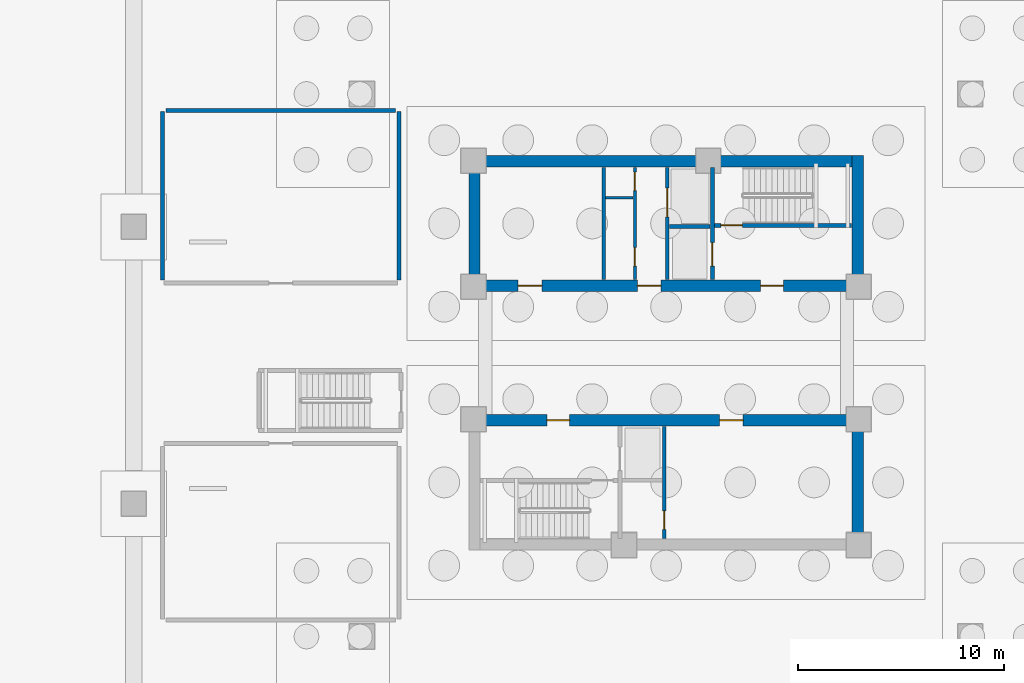
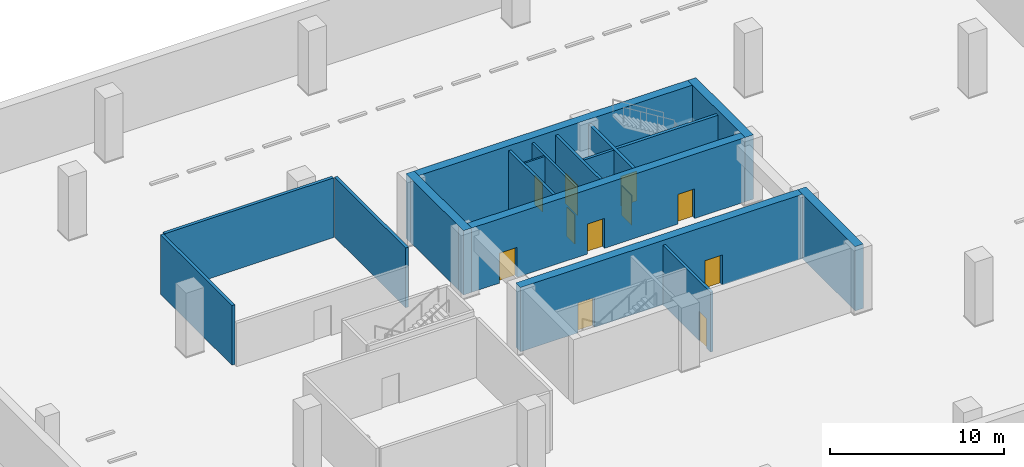
# One storey, part 4 of 8: 17 walls, 11 doors, 11 openings.
"""IFC4 building model written with IfcOpenShell, lengths in metres."""

from ifc_helpers import new_model, si_unit, direction, frame, frame_2d, origin, place, context, subcontext, project, spatial, rectangle, extrude, material, layer, layer_set, type_object, element, fill, save


model = new_model("IFC4")

# Units and contexts
model_context = context("Model", 3, precision=1e-05, world=origin(), true_north=direction((0.0, 1.0)))
body_context = subcontext(model_context, "Body", "Model", "MODEL_VIEW")
ifc_project = project(units=[si_unit("LENGTHUNIT", "METRE"), si_unit("AREAUNIT", "SQUARE_METRE"), si_unit("VOLUMEUNIT", "CUBIC_METRE"), si_unit("PLANEANGLEUNIT", "RADIAN"), si_unit("MASSUNIT", "GRAM", prefix="KILO")], contexts=[model_context])

# Site, building, storey
site_placement = place(None, origin())
site = spatial("IfcSite", under=ifc_project, at=site_placement, CompositionType="ELEMENT")
building_placement = place(site_placement, origin())
building = spatial("IfcBuilding", under=site, at=building_placement, Name="Qhalaya Broadcast Tower", CompositionType="ELEMENT")
storey_placement = place(building_placement, frame((0.0, 0.0, -9.0)))
storey = spatial("IfcBuildingStorey", under=building, at=storey_placement, Name="B02", CompositionType="ELEMENT", Elevation=-9.0)

# Wall, openings, doors
ifc_material_1 = material(Name="Gypsum Acoustic Partition")
ifc_layer_1 = layer(ifc_material_1, 0.14990234375, Name="Gypsum Acoustic Partition")
ifc_layer_set_1 = layer_set([ifc_layer_1], Name="Gypsum Acoustic Partition")
wall_type_1 = type_object("IfcWallType", Name="Corridor & Tenancy Acoustic Partition 150", PredefinedType="PARTITIONING", material=ifc_layer_set_1)
wall_1_placement = place(storey_placement, frame((-1.52001953125, 4.169921875, 0.0), z_axis=(0.0, 0.0, 1.0), x_axis=(0.0, 1.0, 0.0)))
wall_1 = element("IfcWall", 1, at=wall_1_placement, inside=storey, type_object=wall_type_1, Name="B02 Partition Wall NCW-SVL", PredefinedType="PARTITIONING", context=body_context, shape_type="SweptSolid", body=[
    extrude(rectangle(XDim=5.4599609375, YDim=0.14990234375, at=frame_2d((2.72998046875, 0.0))), origin(), (0.0, 0.0, 1.0), 4.179931640625),
])
opening_1_placement = place(wall_1_placement, frame((4.330078125, 0.0, 0.0)))
opening_1 = element("IfcOpeningElement", 2, at=opening_1_placement, cuts=wall_1, Name="Opening D06", PredefinedType="OPENING", context=body_context, shape_type="SweptSolid", body=[
    extrude(rectangle(XDim=0.89990234375, YDim=2.050048828125, at=frame_2d((0.449951171875, 1.02490234375))), frame((0.0, 0.0869140625, 0.0), z_axis=(0.0, -1.0, 0.0), x_axis=(1.0, 0.0, 0.0)), (0.0, 0.0, 1.0), 0.173828125),
])
opening_2_placement = place(wall_1_placement, frame((0.64990234375, 0.0, 0.0)))
opening_2 = element("IfcOpeningElement", 3, at=opening_2_placement, cuts=wall_1, Name="Opening D06", PredefinedType="OPENING", context=body_context, shape_type="SweptSolid", body=[
    extrude(rectangle(XDim=0.89990234375, YDim=2.050048828125, at=frame_2d((0.449951171875, 1.02490234375))), frame((0.0, 0.0869140625, 0.0), z_axis=(0.0, -1.0, 0.0), x_axis=(1.0, 0.0, 0.0)), (0.0, 0.0, 1.0), 0.173828125),
])
ifc_material_2 = material(Name="Fire-Rated Steel Door", Category="steel")
door_type_1 = type_object("IfcDoorType", Name="Riser & Electrical Shaft Access Door D06", OperationType="NOTDEFINED", PredefinedType="DOOR", material=ifc_material_2)
door_1_placement = place(opening_1_placement, origin())
door_1 = element("IfcDoor", 4, at=door_1_placement, inside=storey, type_object=door_type_1, Name="B02 Riser Shaft Access Door D-NRSR", OperationType="SINGLE_SWING_RIGHT", OverallHeight=2.050048828125, OverallWidth=0.89990234375, PredefinedType="DOOR", context=body_context, shape_type="SweptSolid", body=[
    extrude(rectangle(XDim=0.89990234375, YDim=2.050048828125, at=frame_2d((0.449951171875, 1.02490234375))), frame((0.0, 0.02490234375, 0.0), z_axis=(0.0, -1.0, 0.0), x_axis=(1.0, 0.0, 0.0)), (0.0, 0.0, 1.0), 0.050048828125),
])
fill(opening_1, door_1)
door_2_placement = place(opening_2_placement, origin())
door_2 = element("IfcDoor", 5, at=door_2_placement, inside=storey, type_object=door_type_1, Name="B02 Door D-NCST", OperationType="SINGLE_SWING_LEFT", OverallHeight=2.050048828125, OverallWidth=0.89990234375, PredefinedType="DOOR", context=body_context, shape_type="SweptSolid", body=[
    extrude(rectangle(XDim=0.89990234375, YDim=2.050048828125, at=frame_2d((0.449951171875, 1.02490234375))), frame((0.0, 0.02490234375, 0.0), z_axis=(0.0, -1.0, 0.0), x_axis=(1.0, 0.0, 0.0)), (0.0, 0.0, 1.0), 0.050048828125),
])
fill(opening_2, door_2)

# Walls
ifc_layer_2 = layer(ifc_material_1, 0.199951171875, Name="Gypsum Acoustic Partition")
ifc_layer_set_2 = layer_set([ifc_layer_2], Name="Gypsum Acoustic Partition")
wall_type_2 = type_object("IfcWallType", Name="Firefighting Lobby & Stair Enclosure Wall 200", PredefinedType="PARTITIONING", material=ifc_layer_set_2)
for number, where, z_axis, x_axis, name in (
    (6, (-24.5, 4.159912109375, 0.0), (0.0, 0.0, 1.0), (0.0, 1.0, 0.0), "B02 Partition Wall W-B02P6"),
    (7, (-13.0, 4.159912109375, 0.0), (0.0, 0.0, 1.0), (0.0, 1.0, 0.0), "B02 Partition Wall W-B02P7"),
):
    element("IfcWall", number, at=place(storey_placement, frame(where, z_axis=z_axis, x_axis=x_axis)), inside=storey, type_object=wall_type_2, Name=name, PredefinedType="PARTITIONING", context=body_context, shape_type="SweptSolid", body=[
        extrude(rectangle(XDim=8.18017578125, YDim=0.199951171875, at=frame_2d((4.090087890625, 0.0))), origin(), (0.0, 0.0, 1.0), 4.179931640625),
    ])
wall_2_placement = place(storey_placement, frame((-24.340087890625, 12.39990234375, 0.0), z_axis=(0.0, 0.0, 1.0), x_axis=(1.0, 0.0, 0.0)))
element("IfcWall", 8, at=wall_2_placement, inside=storey, type_object=wall_type_2, Name="B02 Partition Wall W-B02P8", PredefinedType="PARTITIONING", context=body_context, shape_type="SweptSolid", body=[
    extrude(rectangle(XDim=11.18017578125, YDim=0.199951171875, at=frame_2d((5.590087890625, 0.0))), origin(), (0.0, 0.0, 1.0), 4.179931640625),
])

# Wall, opening, door
ifc_material_3 = material(Name="Concrete C50/60", Category="concrete")
ifc_layer_3 = layer(ifc_material_3, 0.199951171875, Name="Concrete C50/60")
ifc_layer_set_3 = layer_set([ifc_layer_3], Name="Concrete C50/60")
wall_type_3 = type_object("IfcWallType", Name="Load-Bearing Stair Shaft Wall 200", PredefinedType="SHEAR", material=ifc_layer_set_3)
wall_3_placement = place(storey_placement, frame((2.360107421875, 6.804931640625, 0.0), z_axis=(0.0, 0.0, 1.0), x_axis=(1.0, 0.0, 0.0)))
wall_3 = element("IfcWall", 9, at=wall_3_placement, inside=storey, type_object=wall_type_3, Name="B02 Stair Core Shear Wall NCW-ST1", PredefinedType="SHEAR", context=body_context, shape_type="SweptSolid", body=[
    extrude(rectangle(XDim=6.669921875, YDim=0.199951171875, at=frame_2d((3.3349609375, 0.0))), origin(), (0.0, 0.0, 1.0), 4.179931640625),
])
opening_3_placement = place(wall_3_placement, frame((0.300048828125, 0.0, 0.0)))
opening_3 = element("IfcOpeningElement", 10, at=opening_3_placement, cuts=wall_3, Name="Opening D03", PredefinedType="OPENING", context=body_context, shape_type="SweptSolid", body=[
    extrude(rectangle(XDim=1.050048828125, YDim=2.080078125, at=frame_2d((0.52490234375, 1.0400390625))), frame((0.0, 0.112060546875, 0.0), z_axis=(0.0, -1.0, 0.0), x_axis=(1.0, 0.0, 0.0)), (0.0, 0.0, 1.0), 0.223876953125),
])
door_type_2 = type_object("IfcDoorType", Name="Core Stair Protected Fire Door D03", OperationType="NOTDEFINED", PredefinedType="DOOR", material=ifc_material_2)
door_3_placement = place(opening_3_placement, origin())
door_3 = element("IfcDoor", 11, at=door_3_placement, inside=storey, type_object=door_type_2, Name="B02 Door D-NST1", OperationType="SINGLE_SWING_LEFT", OverallHeight=2.080078125, OverallWidth=1.050048828125, PredefinedType="DOOR", context=body_context, shape_type="SweptSolid", body=[
    extrude(rectangle(XDim=1.050048828125, YDim=2.080078125, at=frame_2d((0.52490234375, 1.0400390625))), frame((0.0, 0.02490234375, 0.0), z_axis=(0.0, -1.0, 0.0), x_axis=(1.0, 0.0, 0.0)), (0.0, 0.0, 1.0), 0.050048828125),
])
fill(opening_3, door_3)

wall_4_placement = place(storey_placement, frame((2.25, 4.169921875, 0.0), z_axis=(0.0, 0.0, 1.0), x_axis=(0.0, 1.0, 0.0)))
wall_4 = element("IfcWall", 12, at=wall_4_placement, inside=storey, type_object=wall_type_3, Name="B02 Stair Core Shear Wall NCW-FF", PredefinedType="SHEAR", context=body_context, shape_type="SweptSolid", body=[
    extrude(rectangle(XDim=5.4599609375, YDim=0.199951171875, at=frame_2d((2.72998046875, 0.0))), origin(), (0.0, 0.0, 1.0), 4.179931640625),
])
opening_4_placement = place(wall_4_placement, frame((0.64990234375, 0.0, 0.0)))
opening_4 = element("IfcOpeningElement", 13, at=opening_4_placement, cuts=wall_4, Name="Opening LD2", PredefinedType="OPENING", context=body_context, shape_type="SweptSolid", body=[
    extrude(rectangle(XDim=1.14990234375, YDim=2.080078125, at=frame_2d((0.574951171875, 1.0400390625))), frame((0.0, 0.112060546875, 0.0), z_axis=(0.0, -1.0, 0.0), x_axis=(1.0, 0.0, 0.0)), (0.0, 0.0, 1.0), 0.223876953125),
])
ifc_material_4 = material(Name="Brushed Stainless Steel Lift Door", Category="steel")
door_type_3 = type_object("IfcDoorType", Name="Firefighting Lift Sliding Landing Door LD2", OperationType="DOUBLE_DOOR_SLIDING", PredefinedType="DOOR", material=ifc_material_4)
door_4_placement = place(opening_4_placement, origin())
door_4 = element("IfcDoor", 14, at=door_4_placement, inside=storey, type_object=door_type_3, Name="B02 Door LD-FF1", OperationType="DOUBLE_DOOR_SLIDING", OverallHeight=2.080078125, OverallWidth=1.14990234375, PredefinedType="DOOR", context=body_context, shape_type="SweptSolid", body=[
    extrude(rectangle(XDim=1.14990234375, YDim=2.080078125, at=frame_2d((0.574951171875, 1.0400390625))), frame((0.0, 0.02490234375, 0.0), z_axis=(0.0, -1.0, 0.0), x_axis=(1.0, 0.0, 0.0)), (0.0, 0.0, 1.0), 0.050048828125),
])
fill(opening_4, door_4)

# Wall
ifc_material_5 = material(Name="Concrete C60/75", Category="concrete")
ifc_layer_4 = layer(ifc_material_5, 0.550048828125, Name="Concrete C60/75")
ifc_layer_set_4 = layer_set([ifc_layer_4], Name="Concrete C60/75")
wall_type_4 = type_object("IfcWallType", Name="Lower Split-Core Shear Wall 550", PredefinedType="SHEAR", material=ifc_layer_set_4)
wall_5_placement = place(storey_placement, frame((-9.60009765625, 9.925048828125, 0.0), z_axis=(0.0, 0.0, 1.0), x_axis=(1.0, 0.0, 0.0)))
element("IfcWall", 15, at=wall_5_placement, inside=storey, type_object=wall_type_4, Name="B02 Split-Core Shear Wall CW-NN", PredefinedType="SHEAR", context=body_context, shape_type="SweptSolid", body=[
    extrude(rectangle(XDim=19.2001953125, YDim=0.550048828125, at=frame_2d((9.60009765625, 0.0))), origin(), (0.0, 0.0, 1.0), 4.5),
])

# Wall, openings, doors
wall_6_placement = place(storey_placement, frame((-9.60009765625, 3.875, 0.0), z_axis=(0.0, 0.0, 1.0), x_axis=(1.0, 0.0, 0.0)))
wall_6 = element("IfcWall", 16, at=wall_6_placement, inside=storey, type_object=wall_type_4, Name="B02 Split-Core Shear Wall CW-NS", PredefinedType="SHEAR", context=body_context, shape_type="SweptSolid", body=[
    extrude(rectangle(XDim=19.2001953125, YDim=0.550048828125, at=frame_2d((9.60009765625, 0.0))), origin(), (0.0, 0.0, 1.0), 4.5),
])
opening_5_placement = place(wall_6_placement, frame((14.199951171875, 0.0, 0.0)))
opening_5 = element("IfcOpeningElement", 17, at=opening_5_placement, cuts=wall_6, Name="Opening D04", PredefinedType="OPENING", context=body_context, shape_type="SweptSolid", body=[
    extrude(rectangle(XDim=1.10009765625, YDim=2.080078125, at=frame_2d((0.550048828125, 1.0400390625))), frame((0.0, 0.287109375, 0.0), z_axis=(0.0, -1.0, 0.0), x_axis=(1.0, 0.0, 0.0)), (0.0, 0.0, 1.0), 0.573974609375),
])
opening_6_placement = place(wall_6_placement, frame((8.199951171875, 0.0, 0.0)))
opening_6 = element("IfcOpeningElement", 18, at=opening_6_placement, cuts=wall_6, Name="Opening D05", PredefinedType="OPENING", context=body_context, shape_type="SweptSolid", body=[
    extrude(rectangle(XDim=1.14990234375, YDim=2.10009765625, at=frame_2d((0.574951171875, 1.050048828125))), frame((0.0, 0.287109375, 0.0), z_axis=(0.0, -1.0, 0.0), x_axis=(1.0, 0.0, 0.0)), (0.0, 0.0, 1.0), 0.573974609375),
])
opening_7_placement = place(wall_6_placement, frame((2.39990234375, 0.0, 0.0)))
opening_7 = element("IfcOpeningElement", 19, at=opening_7_placement, cuts=wall_6, Name="Opening D05", PredefinedType="OPENING", context=body_context, shape_type="SweptSolid", body=[
    extrude(rectangle(XDim=1.14990234375, YDim=2.10009765625, at=frame_2d((0.574951171875, 1.050048828125))), frame((0.0, 0.287109375, 0.0), z_axis=(0.0, -1.0, 0.0), x_axis=(1.0, 0.0, 0.0)), (0.0, 0.0, 1.0), 0.573974609375),
])
door_type_4 = type_object("IfcDoorType", Name="Firefighting Lobby Rated Door D04", OperationType="NOTDEFINED", PredefinedType="DOOR", material=ifc_material_2)
door_5_placement = place(opening_5_placement, origin())
door_5 = element("IfcDoor", 20, at=door_5_placement, inside=storey, type_object=door_type_4, Name="B02 Door D-NFF", OperationType="SINGLE_SWING_RIGHT", OverallHeight=2.080078125, OverallWidth=1.10009765625, PredefinedType="DOOR", context=body_context, shape_type="SweptSolid", body=[
    extrude(rectangle(XDim=1.10009765625, YDim=2.080078125, at=frame_2d((0.550048828125, 1.0400390625))), frame((0.0, 0.02490234375, 0.0), z_axis=(0.0, -1.0, 0.0), x_axis=(1.0, 0.0, 0.0)), (0.0, 0.0, 1.0), 0.050048828125),
])
fill(opening_5, door_5)
door_type_5 = type_object("IfcDoorType", Name="Refuge & Plant Room Fire Door D05", OperationType="NOTDEFINED", PredefinedType="DOOR", material=ifc_material_2)
door_6_placement = place(opening_6_placement, origin())
door_6 = element("IfcDoor", 21, at=door_6_placement, inside=storey, type_object=door_type_5, Name="B02 Door D-NSVL", OperationType="SINGLE_SWING_LEFT", OverallHeight=2.10009765625, OverallWidth=1.14990234375, PredefinedType="DOOR", context=body_context, shape_type="SweptSolid", body=[
    extrude(rectangle(XDim=1.14990234375, YDim=2.10009765625, at=frame_2d((0.574951171875, 1.050048828125))), frame((0.0, 0.02490234375, 0.0), z_axis=(0.0, -1.0, 0.0), x_axis=(1.0, 0.0, 0.0)), (0.0, 0.0, 1.0), 0.050048828125),
])
fill(opening_6, door_6)
door_7_placement = place(opening_7_placement, origin())
door_7 = element("IfcDoor", 22, at=door_7_placement, inside=storey, type_object=door_type_5, Name="B02 Door D-NB02P", OperationType="SINGLE_SWING_LEFT", OverallHeight=2.10009765625, OverallWidth=1.14990234375, PredefinedType="DOOR", context=body_context, shape_type="SweptSolid", body=[
    extrude(rectangle(XDim=1.14990234375, YDim=2.10009765625, at=frame_2d((0.574951171875, 1.050048828125))), frame((0.0, 0.02490234375, 0.0), z_axis=(0.0, -1.0, 0.0), x_axis=(1.0, 0.0, 0.0)), (0.0, 0.0, 1.0), 0.050048828125),
])
fill(opening_7, door_7)

# Walls
for number, where, z_axis, x_axis, name in (
    (23, (-9.324951171875, 3.60009765625, 0.0), (0.0, 0.0, 1.0), (0.0, 1.0, 0.0), "B02 Split-Core Shear Wall CW-NW"),
    (24, (9.324951171875, 3.60009765625, 0.0), (0.0, 0.0, 1.0), (0.0, 1.0, 0.0), "B02 Split-Core Shear Wall CW-NE"),
):
    element("IfcWall", number, at=place(storey_placement, frame(where, z_axis=z_axis, x_axis=x_axis)), inside=storey, type_object=wall_type_4, Name=name, PredefinedType="SHEAR", context=body_context, shape_type="SweptSolid", body=[
        extrude(rectangle(XDim=6.599853515625, YDim=0.550048828125, at=frame_2d((3.2998046875, 0.0))), origin(), (0.0, 0.0, 1.0), 4.5),
    ])

# Wall, openings, doors
wall_7_placement = place(storey_placement, frame((-9.60009765625, -2.675048828125, 0.0), z_axis=(0.0, 0.0, 1.0), x_axis=(1.0, 0.0, 0.0)))
wall_7 = element("IfcWall", 25, at=wall_7_placement, inside=storey, type_object=wall_type_4, Name="B02 Split-Core Shear Wall CW-SN", PredefinedType="SHEAR", context=body_context, shape_type="SweptSolid", body=[
    extrude(rectangle(XDim=19.2001953125, YDim=0.550048828125, at=frame_2d((9.60009765625, 0.0))), origin(), (0.0, 0.0, 1.0), 4.5),
])
opening_8_placement = place(wall_7_placement, frame((3.800048828125, 0.0, 0.0)))
opening_8 = element("IfcOpeningElement", 26, at=opening_8_placement, cuts=wall_7, Name="Opening D04", PredefinedType="OPENING", context=body_context, shape_type="SweptSolid", body=[
    extrude(rectangle(XDim=1.10009765625, YDim=2.080078125, at=frame_2d((0.550048828125, 1.0400390625))), frame((0.0, 0.287109375, 0.0), z_axis=(0.0, -1.0, 0.0), x_axis=(1.0, 0.0, 0.0)), (0.0, 0.0, 1.0), 0.573974609375),
])
opening_9_placement = place(wall_7_placement, frame((12.199951171875, 0.0, 0.0)))
opening_9 = element("IfcOpeningElement", 27, at=opening_9_placement, cuts=wall_7, Name="Opening D05", PredefinedType="OPENING", context=body_context, shape_type="SweptSolid", body=[
    extrude(rectangle(XDim=1.14990234375, YDim=2.10009765625, at=frame_2d((0.574951171875, 1.050048828125))), frame((0.0, 0.287109375, 0.0), z_axis=(0.0, -1.0, 0.0), x_axis=(1.0, 0.0, 0.0)), (0.0, 0.0, 1.0), 0.573974609375),
])
door_8_placement = place(opening_8_placement, origin())
door_8 = element("IfcDoor", 28, at=door_8_placement, inside=storey, type_object=door_type_4, Name="B02 Door D-SFF", OperationType="SINGLE_SWING_LEFT", OverallHeight=2.080078125, OverallWidth=1.10009765625, PredefinedType="DOOR", context=body_context, shape_type="SweptSolid", body=[
    extrude(rectangle(XDim=1.10009765625, YDim=2.080078125, at=frame_2d((0.550048828125, 1.0400390625))), frame((0.0, 0.02490234375, 0.0), z_axis=(0.0, -1.0, 0.0), x_axis=(1.0, 0.0, 0.0)), (0.0, 0.0, 1.0), 0.050048828125),
])
fill(opening_8, door_8)
door_9_placement = place(opening_9_placement, origin())
door_9 = element("IfcDoor", 29, at=door_9_placement, inside=storey, type_object=door_type_5, Name="B02 Door D-SBPLT", OperationType="SINGLE_SWING_RIGHT", OverallHeight=2.10009765625, OverallWidth=1.14990234375, PredefinedType="DOOR", context=body_context, shape_type="SweptSolid", body=[
    extrude(rectangle(XDim=1.14990234375, YDim=2.10009765625, at=frame_2d((0.574951171875, 1.050048828125))), frame((0.0, 0.02490234375, 0.0), z_axis=(0.0, -1.0, 0.0), x_axis=(1.0, 0.0, 0.0)), (0.0, 0.0, 1.0), 0.050048828125),
])
fill(opening_9, door_9)

# Walls
wall_8_placement = place(storey_placement, frame((9.324951171875, -9.0, 0.0), z_axis=(0.0, 0.0, 1.0), x_axis=(0.0, 1.0, 0.0)))
element("IfcWall", 30, at=wall_8_placement, inside=storey, type_object=wall_type_4, Name="B02 Split-Core Shear Wall CW-SE", PredefinedType="SHEAR", context=body_context, shape_type="SweptSolid", body=[
    extrude(rectangle(XDim=6.60009765625, YDim=0.550048828125, at=frame_2d((3.300048828125, 0.0))), origin(), (0.0, 0.0, 1.0), 4.5),
])
ifc_layer_5 = layer(ifc_material_1, 0.1201171875, Name="Gypsum Acoustic Partition")
ifc_layer_set_5 = layer_set([ifc_layer_5], Name="Gypsum Acoustic Partition")
wall_type_5 = type_object("IfcWallType", Name="Office, Booth & Sanitary Partition 120", PredefinedType="PARTITIONING", material=ifc_layer_set_5)
wall_9_placement = place(storey_placement, frame((-2.9599609375, 8.14990234375, 0.0), z_axis=(0.0, 0.0, 1.0), x_axis=(1.0, 0.0, 0.0)))
element("IfcWall", 31, at=wall_9_placement, inside=storey, type_object=wall_type_5, Name="B02 Partition Wall NCW-VA", PredefinedType="PARTITIONING", context=body_context, shape_type="SweptSolid", body=[
    extrude(rectangle(XDim=1.35986328125, YDim=0.1201171875, at=frame_2d((0.679931640625, 0.0))), origin(), (0.0, 0.0, 1.0), 4.179931640625),
])

# Wall, opening, door
ifc_layer_6 = layer(ifc_material_1, 0.175048828125, Name="Gypsum Acoustic Partition")
ifc_layer_set_6 = layer_set([ifc_layer_6], Name="Gypsum Acoustic Partition")
wall_type_6 = type_object("IfcWallType", Name="Shaft & Riser Fire Partition 175", PredefinedType="PARTITIONING", material=ifc_layer_set_6)
wall_10_placement = place(storey_placement, frame((0.06005859375, 4.169921875, 0.0), z_axis=(0.0, 0.0, 1.0), x_axis=(0.0, 1.0, 0.0)))
wall_10 = element("IfcWall", 32, at=wall_10_placement, inside=storey, type_object=wall_type_6, Name="B02 Partition Wall NCW-SVW", PredefinedType="PARTITIONING", context=body_context, shape_type="SweptSolid", body=[
    extrude(rectangle(XDim=5.4599609375, YDim=0.175048828125, at=frame_2d((2.72998046875, 0.0))), origin(), (0.0, 0.0, 1.0), 4.179931640625),
])
opening_10_placement = place(wall_10_placement, frame((3.050048828125, 0.0, 0.0)))
opening_10 = element("IfcOpeningElement", 33, at=opening_10_placement, cuts=wall_10, Name="Opening LD3", PredefinedType="OPENING", context=body_context, shape_type="SweptSolid", body=[
    extrude(rectangle(XDim=1.39990234375, YDim=2.1201171875, at=frame_2d((0.699951171875, 1.06005859375))), frame((0.0, 0.099609375, 0.0), z_axis=(0.0, -1.0, 0.0), x_axis=(1.0, 0.0, 0.0)), (0.0, 0.0, 1.0), 0.198974609375),
])
door_type_6 = type_object("IfcDoorType", Name="Service Lift Wide Sliding Landing Door LD3", OperationType="DOUBLE_DOOR_SLIDING", PredefinedType="DOOR", material=ifc_material_4)
door_10_placement = place(opening_10_placement, origin())
door_10 = element("IfcDoor", 34, at=door_10_placement, inside=storey, type_object=door_type_6, Name="B02 Door LD-SV1", OperationType="DOUBLE_DOOR_SLIDING", OverallHeight=2.1201171875, OverallWidth=1.39990234375, PredefinedType="DOOR", context=body_context, shape_type="SweptSolid", body=[
    extrude(rectangle(XDim=1.39990234375, YDim=2.1201171875, at=frame_2d((0.699951171875, 1.06005859375))), frame((0.0, 0.02490234375, 0.0), z_axis=(0.0, -1.0, 0.0), x_axis=(1.0, 0.0, 0.0)), (0.0, 0.0, 1.0), 0.050048828125),
])
fill(opening_10, door_10)

# Walls
wall_11_placement = place(storey_placement, frame((0.159912109375, 6.75, 0.0), z_axis=(0.0, 0.0, 1.0), x_axis=(1.0, 0.0, 0.0)))
element("IfcWall", 35, at=wall_11_placement, inside=storey, type_object=wall_type_6, Name="B02 Partition Wall NCW-SVM", PredefinedType="PARTITIONING", context=body_context, shape_type="SweptSolid", body=[
    extrude(rectangle(XDim=1.97998046875, YDim=0.175048828125, at=frame_2d((0.989990234375, 0.0))), origin(), (0.0, 0.0, 1.0), 4.179931640625),
])
wall_12_placement = place(storey_placement, frame((-3.0400390625, 4.169921875, 0.0), z_axis=(0.0, 0.0, 1.0), x_axis=(0.0, 1.0, 0.0)))
element("IfcWall", 36, at=wall_12_placement, inside=storey, type_object=wall_type_6, Name="B02 Partition Wall NCW-VRW", PredefinedType="PARTITIONING", context=body_context, shape_type="SweptSolid", body=[
    extrude(rectangle(XDim=5.4599609375, YDim=0.175048828125, at=frame_2d((2.72998046875, 0.0))), origin(), (0.0, 0.0, 1.0), 4.179931640625),
])

# Wall, opening, door
wall_13_placement = place(storey_placement, frame((-0.10009765625, -8.429931640625, 0.0), z_axis=(0.0, 0.0, 1.0), x_axis=(0.0, 1.0, 0.0)))
wall_13 = element("IfcWall", 37, at=wall_13_placement, inside=storey, type_object=wall_type_6, Name="B02 Partition Wall SCW-FFE", PredefinedType="PARTITIONING", context=body_context, shape_type="SweptSolid", body=[
    extrude(rectangle(XDim=5.4599609375, YDim=0.175048828125, at=frame_2d((2.72998046875, 0.0))), origin(), (0.0, 0.0, 1.0), 4.179931640625),
])
opening_11_placement = place(wall_13_placement, frame((0.449951171875, 0.0, 0.0)))
opening_11 = element("IfcOpeningElement", 38, at=opening_11_placement, cuts=wall_13, Name="Opening D06", PredefinedType="OPENING", context=body_context, shape_type="SweptSolid", body=[
    extrude(rectangle(XDim=0.89990234375, YDim=2.050048828125, at=frame_2d((0.449951171875, 1.02490234375))), frame((0.0, 0.099609375, 0.0), z_axis=(0.0, -1.0, 0.0), x_axis=(1.0, 0.0, 0.0)), (0.0, 0.0, 1.0), 0.198974609375),
])
door_11_placement = place(opening_11_placement, origin())
door_11 = element("IfcDoor", 39, at=door_11_placement, inside=storey, type_object=door_type_1, Name="B02 Riser Shaft Access Door D-SRSR", OperationType="SINGLE_SWING_LEFT", OverallHeight=2.050048828125, OverallWidth=0.89990234375, PredefinedType="DOOR", context=body_context, shape_type="SweptSolid", body=[
    extrude(rectangle(XDim=0.89990234375, YDim=2.050048828125, at=frame_2d((0.449951171875, 1.02490234375))), frame((0.0, 0.02490234375, 0.0), z_axis=(0.0, -1.0, 0.0), x_axis=(1.0, 0.0, 0.0)), (0.0, 0.0, 1.0), 0.050048828125),
])
fill(opening_11, door_11)

save(model, "model.ifc")
